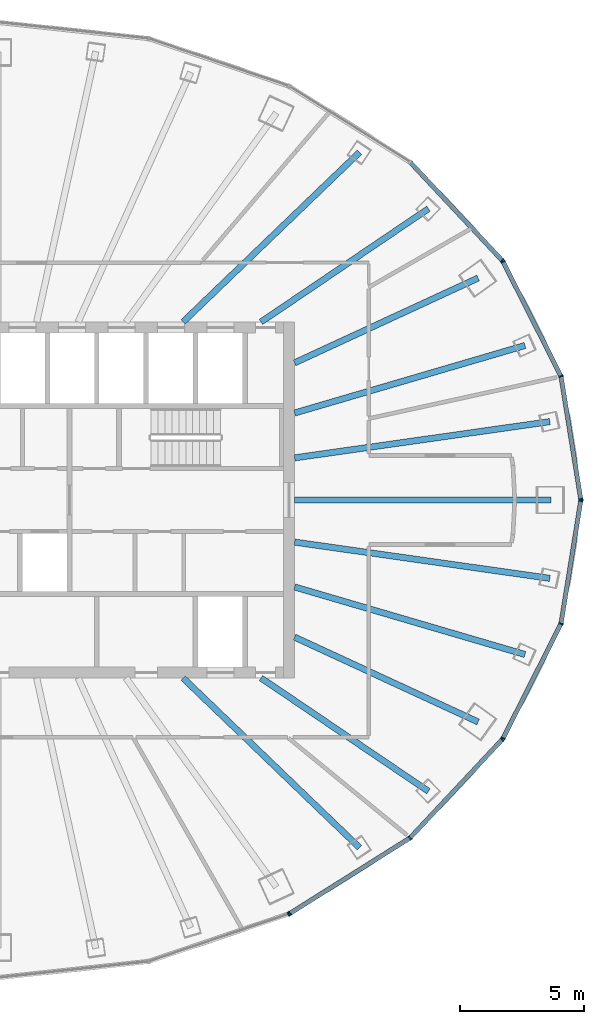
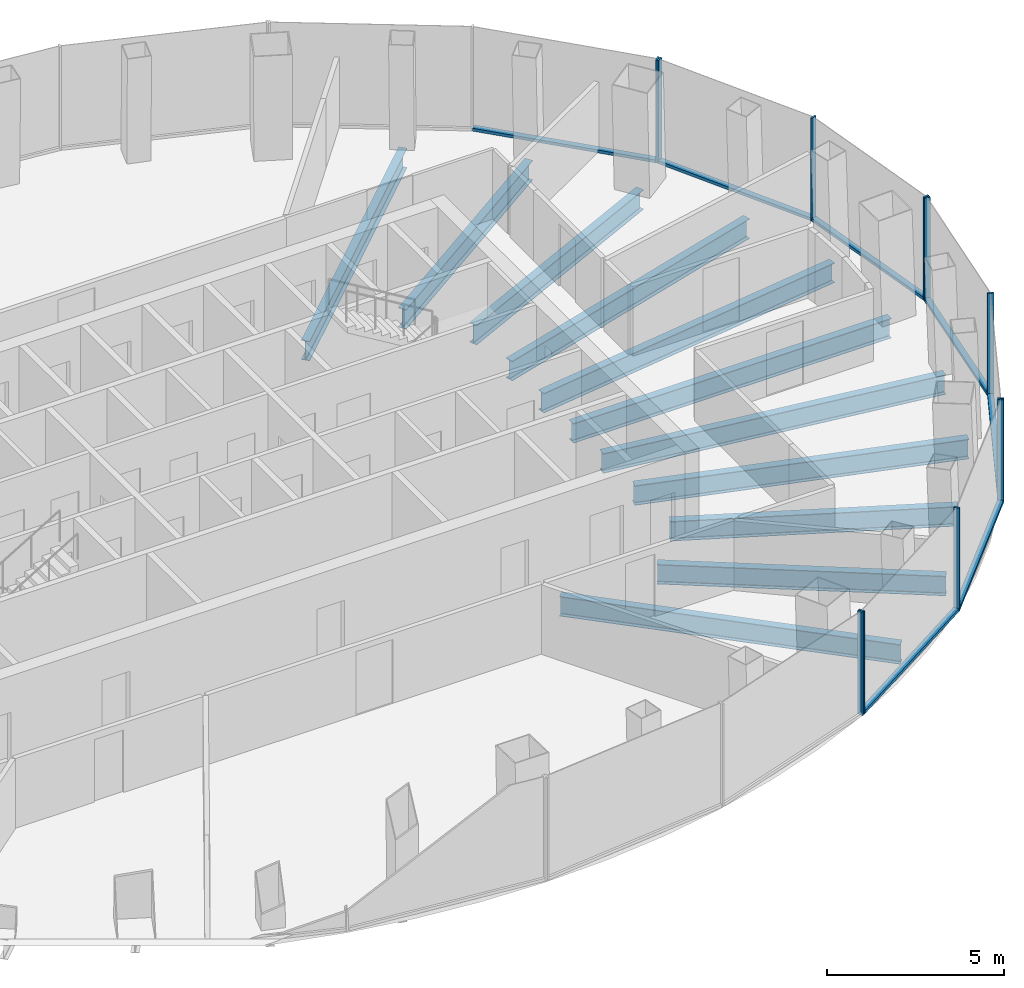
# One storey, part 6 of 13: 18 members, 11 beams, 5 elements without a shape of their own.
"""IFC4 building model written with IfcOpenShell, lengths in metres."""

from ifc_helpers import new_model, si_unit, direction, frame, origin, origin_2d, place, context, subcontext, project, spatial, rectangle, i_section, extrude, material, layer, layer_set, material_profile, profile_set, type_object, element, aggregate, save


model = new_model("IFC4")

# Units and contexts
model_context = context("Model", 3, precision=1e-05, world=origin(), true_north=direction((0.0, 1.0)))
body_context = subcontext(model_context, "Body", "Model", "MODEL_VIEW")
ifc_project = project(units=[si_unit("LENGTHUNIT", "METRE"), si_unit("AREAUNIT", "SQUARE_METRE"), si_unit("VOLUMEUNIT", "CUBIC_METRE"), si_unit("PLANEANGLEUNIT", "RADIAN"), si_unit("MASSUNIT", "GRAM", prefix="KILO")], contexts=[model_context])

# Site, building, storey
site_placement = place(None, origin())
site = spatial("IfcSite", under=ifc_project, at=site_placement, CompositionType="ELEMENT")
building_placement = place(site_placement, origin())
building = spatial("IfcBuilding", under=site, at=building_placement, Name="Siaravel Broadcast Tower", CompositionType="ELEMENT")
storey_placement = place(building_placement, frame((0.0, 0.0, 175.60009765625)))
storey = spatial("IfcBuildingStorey", under=building, at=storey_placement, Name="L42", CompositionType="ELEMENT", Elevation=175.60009765625)

# Beams
ifc_material_1 = material(Name="Steel S355", Category="steel")
ifc_material_profile_1 = material_profile(ifc_material_1, i_section(OverallWidth=0.2529296875, OverallDepth=0.677978515625, WebThickness=0.01171875, FlangeThickness=0.01611328125, FilletRadius=0.01513671875, at=origin_2d()))
ifc_profile_set_1 = profile_set([ifc_material_profile_1], Name="Steel S355")
beam_type = type_object("IfcBeamType", Name="BM-UB 686x254x125", PredefinedType="BEAM", material=ifc_profile_set_1)
beam_1_placement = place(storey_placement, frame((22.364501953125, 0.0, -0.489013671875), z_axis=(-1.0, 0.0, 0.0), x_axis=(0.0, -1.0, 0.0)))
element("IfcBeam", 1, at=beam_1_placement, inside=storey, type_object=beam_type, Name="Radial beam RB01", PredefinedType="BEAM", context=body_context, shape_type="SweptSolid", body=[
    extrude(i_section(OverallWidth=0.2529296875, OverallDepth=0.677978515625, WebThickness=0.01171875, FlangeThickness=0.01611328125, FilletRadius=0.01513671875, at=origin_2d()), origin(), (0.0, 0.0, 1.0), 10.364501953125),
])
beam_2_placement = place(storey_placement, frame((22.326171875, 3.169189453125, -0.489013671875), z_axis=(-0.990074572, -0.140543024, 0.0), x_axis=(0.140543024, -0.990074572, 0.0)))
element("IfcBeam", 2, at=beam_2_placement, inside=storey, type_object=beam_type, Name="Radial beam RB02", PredefinedType="BEAM", context=body_context, shape_type="SweptSolid", body=[
    extrude(i_section(OverallWidth=0.2529296875, OverallDepth=0.677978515625, WebThickness=0.01171875, FlangeThickness=0.01611328125, FilletRadius=0.01513671875, at=origin_2d()), origin(), (0.0, 0.0, 1.0), 10.4296875),
])
beam_3_placement = place(storey_placement, frame((21.318603515625, 6.248779296875, -0.489013671875), z_axis=(-0.959624917, -0.28128281, 0.0), x_axis=(0.28128281, -0.959624917, 0.0)))
element("IfcBeam", 3, at=beam_3_placement, inside=storey, type_object=beam_type, Name="Radial beam RB03", PredefinedType="BEAM", context=body_context, shape_type="SweptSolid", body=[
    extrude(i_section(OverallWidth=0.2529296875, OverallDepth=0.677978515625, WebThickness=0.01171875, FlangeThickness=0.01611328125, FilletRadius=0.01513671875, at=origin_2d()), origin(), (0.0, 0.0, 1.0), 9.710693359375),
])
beam_4_placement = place(storey_placement, frame((19.421875, 8.976318359375, -0.489013671875), z_axis=(-0.907740774, -0.419531509, 0.0), x_axis=(0.419531509, -0.907740774, 0.0)))
element("IfcBeam", 4, at=beam_4_placement, inside=storey, type_object=beam_type, Name="Radial beam RB04", PredefinedType="BEAM", context=body_context, shape_type="SweptSolid", body=[
    extrude(i_section(OverallWidth=0.2529296875, OverallDepth=0.677978515625, WebThickness=0.01171875, FlangeThickness=0.01611328125, FilletRadius=0.01513671875, at=origin_2d()), origin(), (0.0, 0.0, 1.0), 8.17626953125),
])
beam_5_placement = place(storey_placement, frame((17.416015625, 11.781982421875, -0.489013671875), z_axis=(-0.828264666, -0.560337079, 0.0), x_axis=(0.560337079, -0.828264666, 0.0)))
element("IfcBeam", 5, at=beam_5_placement, inside=storey, type_object=beam_type, Name="Radial beam RB05", PredefinedType="BEAM", context=body_context, shape_type="SweptSolid", body=[
    extrude(i_section(OverallWidth=0.2529296875, OverallDepth=0.677978515625, WebThickness=0.01171875, FlangeThickness=0.01611328125, FilletRadius=0.01513671875, at=origin_2d()), origin(), (0.0, 0.0, 1.0), 8.17724609375),
])
for number, where, z_axis, x_axis, name in (
    (6, (14.629638671875, 14.064208984375, -0.489013671875), (-0.720896533, -0.693042704, 0.0), (0.693042704, -0.720896533, 0.0), "Radial beam RB06"),
    (7, (14.629638671875, -14.064208984375, -0.489013671875), (-0.720896533, 0.693042704, 0.0), (-0.693042704, -0.720896533, 0.0), "Radial beam RB32"),
):
    element("IfcBeam", number, at=place(storey_placement, frame(where, z_axis=z_axis, x_axis=x_axis)), inside=storey, type_object=beam_type, Name=name, PredefinedType="BEAM", context=body_context, shape_type="SweptSolid", body=[
        extrude(i_section(OverallWidth=0.2529296875, OverallDepth=0.677978515625, WebThickness=0.01171875, FlangeThickness=0.01611328125, FilletRadius=0.01513671875, at=origin_2d()), origin(), (0.0, 0.0, 1.0), 9.904541015625),
    ])
beam_6_placement = place(storey_placement, frame((17.416015625, -11.781982421875, -0.489013671875), z_axis=(-0.828264666, 0.560337079, 0.0), x_axis=(-0.560337079, -0.828264666, 0.0)))
element("IfcBeam", 8, at=beam_6_placement, inside=storey, type_object=beam_type, Name="Radial beam RB33", PredefinedType="BEAM", context=body_context, shape_type="SweptSolid", body=[
    extrude(i_section(OverallWidth=0.2529296875, OverallDepth=0.677978515625, WebThickness=0.01171875, FlangeThickness=0.01611328125, FilletRadius=0.01513671875, at=origin_2d()), origin(), (0.0, 0.0, 1.0), 8.17724609375),
])
beam_7_placement = place(storey_placement, frame((19.421875, -8.976318359375, -0.489013671875), z_axis=(-0.907740774, 0.419531509, 0.0), x_axis=(-0.419531509, -0.907740774, 0.0)))
element("IfcBeam", 9, at=beam_7_placement, inside=storey, type_object=beam_type, Name="Radial beam RB34", PredefinedType="BEAM", context=body_context, shape_type="SweptSolid", body=[
    extrude(i_section(OverallWidth=0.2529296875, OverallDepth=0.677978515625, WebThickness=0.01171875, FlangeThickness=0.01611328125, FilletRadius=0.01513671875, at=origin_2d()), origin(), (0.0, 0.0, 1.0), 8.17626953125),
])
beam_8_placement = place(storey_placement, frame((21.318603515625, -6.248779296875, -0.489013671875), z_axis=(-0.959624917, 0.28128281, 0.0), x_axis=(-0.28128281, -0.959624917, 0.0)))
element("IfcBeam", 10, at=beam_8_placement, inside=storey, type_object=beam_type, Name="Radial beam RB35", PredefinedType="BEAM", context=body_context, shape_type="SweptSolid", body=[
    extrude(i_section(OverallWidth=0.2529296875, OverallDepth=0.677978515625, WebThickness=0.01171875, FlangeThickness=0.01611328125, FilletRadius=0.01513671875, at=origin_2d()), origin(), (0.0, 0.0, 1.0), 9.710693359375),
])
beam_9_placement = place(storey_placement, frame((22.326171875, -3.169189453125, -0.489013671875), z_axis=(-0.990074572, 0.140543024, 0.0), x_axis=(-0.140543024, -0.990074572, 0.0)))
element("IfcBeam", 11, at=beam_9_placement, inside=storey, type_object=beam_type, Name="Radial beam RB36", PredefinedType="BEAM", context=body_context, shape_type="SweptSolid", body=[
    extrude(i_section(OverallWidth=0.2529296875, OverallDepth=0.677978515625, WebThickness=0.01171875, FlangeThickness=0.01611328125, FilletRadius=0.01513671875, at=origin_2d()), origin(), (0.0, 0.0, 1.0), 10.4296875),
])

# Curtain wall, members
ifc_material_2 = material(Name="Aluminium 6063-T6", Category="aluminium")
ifc_layer = layer(ifc_material_2, 0.179931640625)
ifc_layer_set = layer_set([ifc_layer], Name="Aluminium 6063-T6")
curtain_wall_type = type_object("IfcCurtainWallType", Name="Unitised curtain wall, zone 3", PredefinedType="NOTDEFINED", material=ifc_layer_set)
curtain_wall_1_placement = place(storey_placement, origin())
curtain_wall_1 = element("IfcCurtainWall", 12, at=curtain_wall_1_placement, inside=storey, type_object=curtain_wall_type, Name="L42 Unitised curtain wall, zone 3 01", PredefinedType="NOTDEFINED")
ifc_material_profile_2 = material_profile(ifc_material_2, rectangle(XDim=0.179931640625, YDim=0.06005859375, at=origin_2d()))
ifc_profile_set_2 = profile_set([ifc_material_profile_2], Name="Aluminium 6063-T6")
member_type_1 = type_object("IfcMemberType", Name="CW-Z3 mullion", PredefinedType="MULLION", material=ifc_profile_set_2)
member_1_placement = place(storey_placement, frame((23.573974609375, 0.029541015625, 0.0), z_axis=(0.0, 0.0, 1.0), x_axis=(-0.98732916, -0.15868563, 0.0)))
member_1 = element("IfcMember", 13, at=member_1_placement, type_object=member_type_1, Name="CW-Z3 mullion 1", PredefinedType="MULLION", context=body_context, shape_type="SweptSolid", body=[
    extrude(rectangle(XDim=0.179931640625, YDim=0.06005859375, at=origin_2d()), origin(), (0.0, 0.0, 1.0), 3.5498046875),
])
member_2_placement = place(storey_placement, frame((22.7744140625, 5.003662109375, 0.0), z_axis=(0.0, 0.0, 1.0), x_axis=(-0.951177137, -0.308645515, 0.0)))
member_2 = element("IfcMember", 14, at=member_2_placement, type_object=member_type_1, Name="CW-Z3 mullion 2", PredefinedType="MULLION", context=body_context, shape_type="SweptSolid", body=[
    extrude(rectangle(XDim=0.179931640625, YDim=0.06005859375, at=origin_2d()), origin(), (0.0, 0.0, 1.0), 3.5498046875),
])
member_3_placement = place(storey_placement, frame((20.430908203125, 9.63818359375, 0.0), z_axis=(0.0, 0.0, 1.0), x_axis=(-0.892391915, -0.4512612, 0.0)))
member_3 = element("IfcMember", 15, at=member_3_placement, type_object=member_type_1, Name="CW-Z3 mullion 3", PredefinedType="MULLION", context=body_context, shape_type="SweptSolid", body=[
    extrude(rectangle(XDim=0.179931640625, YDim=0.06005859375, at=origin_2d()), origin(), (0.0, 0.0, 1.0), 3.5498046875),
])

# Curtain wall, member
curtain_wall_2_placement = place(storey_placement, origin())
curtain_wall_2 = element("IfcCurtainWall", 16, at=curtain_wall_2_placement, inside=storey, type_object=curtain_wall_type, Name="L42 Unitised curtain wall, zone 3 02", PredefinedType="NOTDEFINED")
member_4_placement = place(storey_placement, frame((20.396728515625, 9.68701171875, 0.0), z_axis=(0.0, 0.0, 1.0), x_axis=(-0.729804878, -0.683655498, 0.0)))
member_4 = element("IfcMember", 17, at=member_4_placement, type_object=member_type_1, Name="CW-Z3 mullion 1", PredefinedType="MULLION", context=body_context, shape_type="SweptSolid", body=[
    extrude(rectangle(XDim=0.179931640625, YDim=0.06005859375, at=origin_2d()), origin(), (0.0, 0.0, 1.0), 3.5498046875),
])

curtain_wall_3_placement = place(storey_placement, origin())
curtain_wall_3 = element("IfcCurtainWall", 18, at=curtain_wall_3_placement, inside=storey, type_object=curtain_wall_type, Name="L42 Unitised curtain wall, zone 3 10", PredefinedType="NOTDEFINED")
member_5_placement = place(storey_placement, frame((11.75732421875, -16.745361328125, 0.0), z_axis=(0.0, 0.0, 1.0), x_axis=(-0.321300283, 0.946977364, 0.0)))
member_5 = element("IfcMember", 19, at=member_5_placement, type_object=member_type_1, Name="CW-Z3 mullion 3", PredefinedType="MULLION", context=body_context, shape_type="SweptSolid", body=[
    extrude(rectangle(XDim=0.179931640625, YDim=0.06005859375, at=origin_2d()), origin(), (0.0, 0.0, 1.0), 3.5498046875),
])
aggregate(curtain_wall_3, [member_5])

# Curtain wall, members
curtain_wall_4_placement = place(storey_placement, origin())
curtain_wall_4 = element("IfcCurtainWall", 20, at=curtain_wall_4_placement, inside=storey, type_object=curtain_wall_type, Name="L42 Unitised curtain wall, zone 3 11", PredefinedType="NOTDEFINED")
member_6_placement = place(storey_placement, frame((11.81103515625, -16.7197265625, 0.0), z_axis=(0.0, 0.0, 1.0), x_axis=(-0.532148789, 0.846650852, 0.0)))
member_6 = element("IfcMember", 21, at=member_6_placement, type_object=member_type_1, Name="CW-Z3 mullion 1", PredefinedType="MULLION", context=body_context, shape_type="SweptSolid", body=[
    extrude(rectangle(XDim=0.179931640625, YDim=0.06005859375, at=origin_2d()), origin(), (0.0, 0.0, 1.0), 3.5498046875),
])
member_7_placement = place(storey_placement, frame((16.6689453125, -13.66650390625, 0.0), z_axis=(0.0, 0.0, 1.0), x_axis=(-0.63621823, 0.771509147, 0.0)))
member_7 = element("IfcMember", 22, at=member_7_placement, type_object=member_type_1, Name="CW-Z3 mullion 2", PredefinedType="MULLION", context=body_context, shape_type="SweptSolid", body=[
    extrude(rectangle(XDim=0.179931640625, YDim=0.06005859375, at=origin_2d()), origin(), (0.0, 0.0, 1.0), 3.5498046875),
])
member_8_placement = place(storey_placement, frame((20.396728515625, -9.68701171875, 0.0), z_axis=(0.0, 0.0, 1.0), x_axis=(-0.729804878, 0.683655498, 0.0)))
member_8 = element("IfcMember", 23, at=member_8_placement, type_object=member_type_1, Name="CW-Z3 mullion 3", PredefinedType="MULLION", context=body_context, shape_type="SweptSolid", body=[
    extrude(rectangle(XDim=0.179931640625, YDim=0.06005859375, at=origin_2d()), origin(), (0.0, 0.0, 1.0), 3.5498046875),
])

curtain_wall_5_placement = place(storey_placement, origin())
curtain_wall_5 = element("IfcCurtainWall", 24, at=curtain_wall_5_placement, inside=storey, type_object=curtain_wall_type, Name="L42 Unitised curtain wall, zone 3 12", PredefinedType="NOTDEFINED")
member_9_placement = place(storey_placement, frame((20.430908203125, -9.63818359375, 0.0), z_axis=(0.0, 0.0, 1.0), x_axis=(-0.892391915, 0.4512612, 0.0)))
member_9 = element("IfcMember", 25, at=member_9_placement, type_object=member_type_1, Name="CW-Z3 mullion 1", PredefinedType="MULLION", context=body_context, shape_type="SweptSolid", body=[
    extrude(rectangle(XDim=0.179931640625, YDim=0.06005859375, at=origin_2d()), origin(), (0.0, 0.0, 1.0), 3.5498046875),
])
member_10_placement = place(storey_placement, frame((22.7744140625, -5.003662109375, 0.0), z_axis=(0.0, 0.0, 1.0), x_axis=(-0.951177137, 0.308645515, 0.0)))
member_10 = element("IfcMember", 26, at=member_10_placement, type_object=member_type_1, Name="CW-Z3 mullion 2", PredefinedType="MULLION", context=body_context, shape_type="SweptSolid", body=[
    extrude(rectangle(XDim=0.179931640625, YDim=0.06005859375, at=origin_2d()), origin(), (0.0, 0.0, 1.0), 3.5498046875),
])
member_11_placement = place(storey_placement, frame((23.573974609375, -0.029541015625, 0.0), z_axis=(0.0, 0.0, 1.0), x_axis=(-0.98732916, 0.15868563, 0.0)))
member_11 = element("IfcMember", 27, at=member_11_placement, type_object=member_type_1, Name="CW-Z3 mullion 3", PredefinedType="MULLION", context=body_context, shape_type="SweptSolid", body=[
    extrude(rectangle(XDim=0.179931640625, YDim=0.06005859375, at=origin_2d()), origin(), (0.0, 0.0, 1.0), 3.5498046875),
])

# Member
ifc_material_profile_3 = material_profile(ifc_material_2, rectangle(XDim=0.179931640625, YDim=0.10009765625, at=origin_2d()))
ifc_profile_set_3 = profile_set([ifc_material_profile_3], Name="Aluminium 6063-T6")
member_type_2 = type_object("IfcMemberType", Name="CW-Z3 transom", PredefinedType="USERDEFINED", material=ifc_profile_set_3)
member_12_placement = place(storey_placement, frame((23.569091796875, 0.05908203125, 0.0498046875), z_axis=(-0.158654191, 0.987334213, 0.0), x_axis=(-0.987334213, -0.158654191, 0.0)))
member_12 = element("IfcMember", 28, at=member_12_placement, type_object=member_type_2, Name="CW-Z3 transom 1", ObjectType="TRANSOM", PredefinedType="USERDEFINED", context=body_context, shape_type="SweptSolid", body=[
    extrude(rectangle(XDim=0.179931640625, YDim=0.10009765625, at=origin_2d()), origin(), (0.0, 0.0, 1.0), 4.97802734375),
])

member_13_placement = place(storey_placement, frame((22.760986328125, 5.030517578125, 0.0498046875), z_axis=(-0.451279947, 0.892382435, 0.0), x_axis=(-0.892382435, -0.451279947, 0.0)))
member_13 = element("IfcMember", 29, at=member_13_placement, type_object=member_type_2, Name="CW-Z3 transom 2", ObjectType="TRANSOM", PredefinedType="USERDEFINED", context=body_context, shape_type="SweptSolid", body=[
    extrude(rectangle(XDim=0.179931640625, YDim=0.10009765625, at=origin_2d()), origin(), (0.0, 0.0, 1.0), 5.133544921875),
])

aggregate(curtain_wall_1, [member_1, member_2, member_3, member_12, member_13])

member_14_placement = place(storey_placement, frame((20.376220703125, 9.708984375, 0.0498046875), z_axis=(-0.683663984, 0.729796929, 0.0), x_axis=(-0.729796929, -0.683663984, 0.0)))
member_14 = element("IfcMember", 30, at=member_14_placement, type_object=member_type_2, Name="CW-Z3 transom 1", ObjectType="TRANSOM", PredefinedType="USERDEFINED", context=body_context, shape_type="SweptSolid", body=[
    extrude(rectangle(XDim=0.179931640625, YDim=0.10009765625, at=origin_2d()), origin(), (0.0, 0.0, 1.0), 5.392578125),
])

aggregate(curtain_wall_2, [member_4, member_14])

member_15_placement = place(storey_placement, frame((11.83642578125, -16.703857421875, 0.0498046875), z_axis=(0.84664762, 0.532153933, 0.0), x_axis=(-0.532153933, 0.84664762, 0.0)))
member_15 = element("IfcMember", 31, at=member_15_placement, type_object=member_type_2, Name="CW-Z3 transom 1", ObjectType="TRANSOM", PredefinedType="USERDEFINED", context=body_context, shape_type="SweptSolid", body=[
    extrude(rectangle(XDim=0.179931640625, YDim=0.10009765625, at=origin_2d()), origin(), (0.0, 0.0, 1.0), 5.677734375),
])

member_16_placement = place(storey_placement, frame((16.689453125, -13.64453125, 0.0498046875), z_axis=(0.683663984, 0.729796929, 0.0), x_axis=(-0.729796929, 0.683663984, 0.0)))
member_16 = element("IfcMember", 32, at=member_16_placement, type_object=member_type_2, Name="CW-Z3 transom 2", ObjectType="TRANSOM", PredefinedType="USERDEFINED", context=body_context, shape_type="SweptSolid", body=[
    extrude(rectangle(XDim=0.179931640625, YDim=0.10009765625, at=origin_2d()), origin(), (0.0, 0.0, 1.0), 5.392578125),
])

aggregate(curtain_wall_4, [member_6, member_7, member_8, member_15, member_16])

member_17_placement = place(storey_placement, frame((20.4443359375, -9.611572265625, 0.0498046875), z_axis=(0.451279947, 0.892382435, 0.0), x_axis=(-0.892382435, 0.451279947, 0.0)))
member_17 = element("IfcMember", 33, at=member_17_placement, type_object=member_type_2, Name="CW-Z3 transom 1", ObjectType="TRANSOM", PredefinedType="USERDEFINED", context=body_context, shape_type="SweptSolid", body=[
    extrude(rectangle(XDim=0.179931640625, YDim=0.10009765625, at=origin_2d()), origin(), (0.0, 0.0, 1.0), 5.133544921875),
])

member_18_placement = place(storey_placement, frame((22.779296875, -4.97412109375, 0.0498046875), z_axis=(0.158654191, 0.987334213, 0.0), x_axis=(-0.987334213, 0.158654191, 0.0)))
member_18 = element("IfcMember", 34, at=member_18_placement, type_object=member_type_2, Name="CW-Z3 transom 2", ObjectType="TRANSOM", PredefinedType="USERDEFINED", context=body_context, shape_type="SweptSolid", body=[
    extrude(rectangle(XDim=0.179931640625, YDim=0.10009765625, at=origin_2d()), origin(), (0.0, 0.0, 1.0), 4.97802734375),
])

aggregate(curtain_wall_5, [member_9, member_10, member_11, member_17, member_18])

save(model, "model.ifc")
